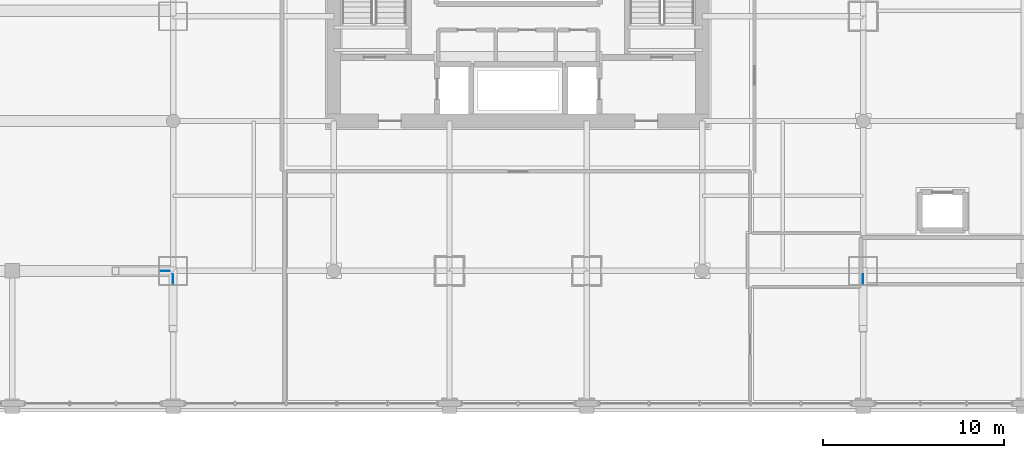
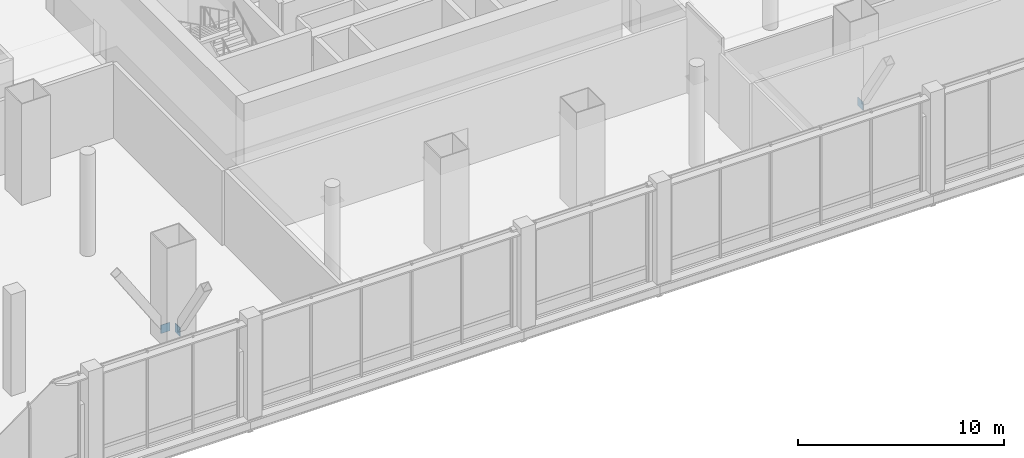
# One storey, part 25 of 38: 3 plates.
"""IFC4 building model written with IfcOpenShell, lengths in metres."""

from ifc_helpers import new_model, si_unit, direction, frame, origin, origin_2d, place, context, subcontext, project, spatial, rectangle, extrude, material, layer, layer_set, type_object, element, save


model = new_model("IFC4")

# Units and contexts
model_context = context("Model", 3, precision=1e-05, world=origin(), true_north=direction((0.0, 1.0)))
body_context = subcontext(model_context, "Body", "Model", "MODEL_VIEW")
ifc_project = project(units=[si_unit("LENGTHUNIT", "METRE"), si_unit("AREAUNIT", "SQUARE_METRE"), si_unit("VOLUMEUNIT", "CUBIC_METRE"), si_unit("PLANEANGLEUNIT", "RADIAN"), si_unit("MASSUNIT", "GRAM", prefix="KILO")], contexts=[model_context])

# Site, building, storey
site_placement = place(None, origin())
site = spatial("IfcSite", under=ifc_project, at=site_placement, CompositionType="ELEMENT")
building_placement = place(site_placement, origin())
building = spatial("IfcBuilding", under=site, at=building_placement, Name="Punatoya Terracotta Tower", CompositionType="ELEMENT")
storey_placement = place(building_placement, frame((0.0, 0.0, 22.199951171875)))
storey = spatial("IfcBuildingStorey", under=building, at=storey_placement, Name="L04", CompositionType="ELEMENT", Elevation=22.199951171875)

# Plates
ifc_material = material(Name="Steel S460", Category="steel")
ifc_layer = layer(ifc_material, 0.031982421875)
ifc_layer_set = layer_set([ifc_layer], Name="Steel S460")
plate_type = type_object("IfcPlateType", Name="PLT-END-32", PredefinedType="USERDEFINED", material=ifc_layer_set)
for number, where, z_axis, x_axis, name in (
    (1, (-19.548095703125, -17.5, 0.4560546875), (0.0, 0.0, 1.0), (1.0, 0.0, 0.0), "L05 Knee-Strut Base Gusset Plate W1"),
    (2, (-19.10009765625, -17.947998046875, 0.4560546875), (0.0, 0.0, 1.0), (0.0, 1.0, 0.0), "L05 Knee-Strut Base Gusset Plate S1"),
    (3, (19.10009765625, -17.947998046875, 0.4560546875), (0.0, 0.0, 1.0), (0.0, 1.0, 0.0), "L05 Knee-Strut Base Gusset Plate S2"),
):
    element("IfcPlate", number, at=place(storey_placement, frame(where, z_axis=z_axis, x_axis=x_axis)), inside=storey, type_object=plate_type, Name=name, ObjectType="FLANGE_PLATE", PredefinedType="USERDEFINED", context=body_context, shape_type="SweptSolid", body=[
        extrude(rectangle(XDim=0.5, YDim=0.031982421875, at=origin_2d()), origin(), (0.0, 0.0, 1.0), 0.5),
    ])

save(model, "model.ifc")
